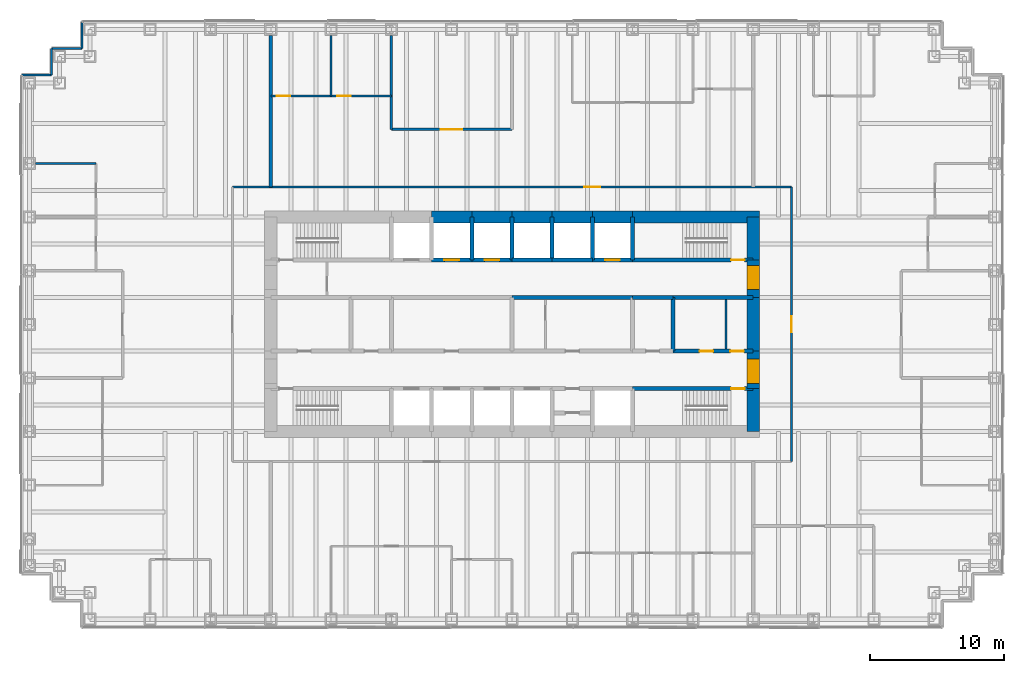
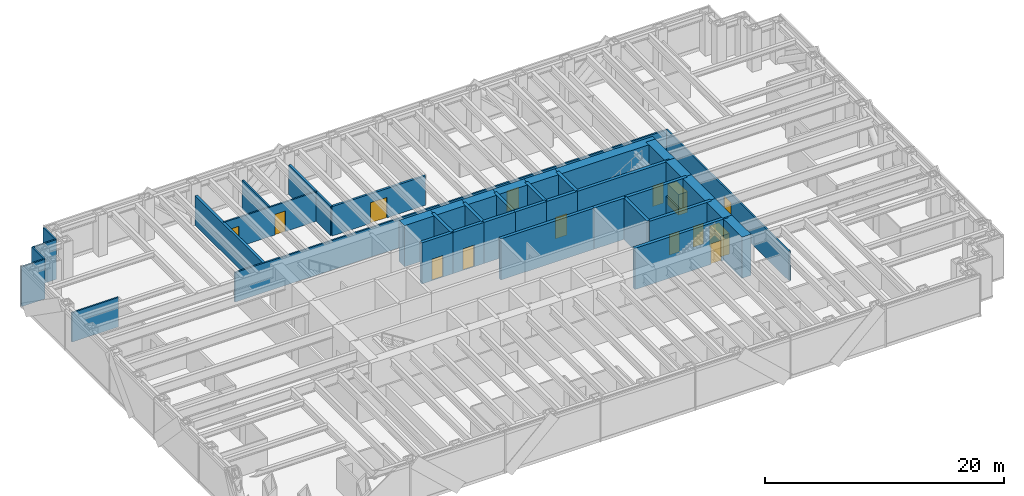
# One storey, part 13 of 15: 41 walls, 14 doors, 14 openings.
"""IFC4 building model written with IfcOpenShell, lengths in metres."""

from ifc_helpers import new_model, si_unit, direction, frame, frame_2d, origin, place, context, subcontext, project, spatial, rectangle, extrude, material, layer, layer_set, type_object, element, fill, save


model = new_model("IFC4")

# Units and contexts
model_context = context("Model", 3, precision=1e-05, world=origin(), true_north=direction((0.0, 1.0)))
body_context = subcontext(model_context, "Body", "Model", "MODEL_VIEW")
ifc_project = project(units=[si_unit("LENGTHUNIT", "METRE"), si_unit("AREAUNIT", "SQUARE_METRE"), si_unit("VOLUMEUNIT", "CUBIC_METRE"), si_unit("PLANEANGLEUNIT", "RADIAN"), si_unit("MASSUNIT", "GRAM", prefix="KILO")], contexts=[model_context])

# Site, building, storey
site_placement = place(None, origin())
site = spatial("IfcSite", under=ifc_project, at=site_placement, CompositionType="ELEMENT")
building_placement = place(site_placement, origin())
building = spatial("IfcBuilding", under=site, at=building_placement, Name="Rheinbord Bourse Tower", CompositionType="ELEMENT")
storey_placement = place(building_placement, frame((0.0, 0.0, 142.5)))
storey = spatial("IfcBuildingStorey", under=building, at=storey_placement, Name="L31", CompositionType="ELEMENT", Elevation=142.5)

# Wall, opening, door
ifc_material_1 = material(Name="Acoustic gypsum board partition", Category="gypsum board")
ifc_layer_1 = layer(ifc_material_1, 0.199951171875)
ifc_layer_set_1 = layer_set([ifc_layer_1], Name="ACOUSTIC PARTITION 200")
wall_type_1 = type_object("IfcWallType", Name="ACOUSTIC PARTITION 200", PredefinedType="PARTITIONING", material=ifc_layer_set_1)
wall_1_placement = place(storey_placement, frame((27.0, 38.550048828125, 0.0), z_axis=(0.0, 0.0, 1.0), x_axis=(1.0, 0.0, 0.0)))
wall_1 = element("IfcWall", 1, at=wall_1_placement, inside=storey, type_object=wall_type_1, Name="Partition L31-18", PredefinedType="PARTITIONING", context=body_context, shape_type="SweptSolid", body=[
    extrude(rectangle(XDim=9.0, YDim=0.199951171875, at=frame_2d((4.5, 0.0))), origin(), (0.0, 0.0, 1.0), 3.0),
])
opening_1_placement = place(wall_1_placement, frame((3.699951171875, 0.0, 0.0)))
opening_1 = element("IfcOpeningElement", 2, at=opening_1_placement, cuts=wall_1, Name="Opening 31D16", PredefinedType="OPENING", context=body_context, shape_type="SweptSolid", body=[
    extrude(rectangle(XDim=1.60009765625, YDim=2.10009765625, at=frame_2d((0.800048828125, 1.050048828125))), frame((0.0, 0.10986328125, 0.0), z_axis=(0.0, -1.0, 0.0), x_axis=(1.0, 0.0, 0.0)), (0.0, 0.0, 1.0), 0.219970703125),
])
ifc_material_2 = material(Name="Timber door", Category="wood")
door_type_1 = type_object("IfcDoorType", Name="DOUBLE ROOM DOOR 1600", OperationType="DOUBLE_DOOR_DOUBLE_SWING", PredefinedType="DOOR", material=ifc_material_2)
door_1_placement = place(opening_1_placement, origin())
door_1 = element("IfcDoor", 3, at=door_1_placement, inside=storey, type_object=door_type_1, Name="Suite boardroom door L31", OperationType="SINGLE_SWING_LEFT", OverallHeight=2.10009765625, OverallWidth=1.60009765625, PredefinedType="DOOR", context=body_context, shape_type="SweptSolid", body=[
    extrude(rectangle(XDim=1.60009765625, YDim=2.10009765625, at=frame_2d((0.800048828125, 1.050048828125))), frame((0.0, 0.02490234375, 0.0), z_axis=(0.0, -1.0, 0.0), x_axis=(1.0, 0.0, 0.0)), (0.0, 0.0, 1.0), 0.050048828125),
])
fill(opening_1, door_1)

# Wall
wall_2_placement = place(storey_placement, frame((27.0, 38.550048828125, 0.0), z_axis=(0.0, 0.0, 1.0), x_axis=(0.0, 1.0, 0.0)))
element("IfcWall", 4, at=wall_2_placement, inside=storey, type_object=wall_type_1, Name="Partition L31-33", PredefinedType="PARTITIONING", context=body_context, shape_type="SweptSolid", body=[
    extrude(rectangle(XDim=7.0, YDim=0.199951171875, at=frame_2d((3.5, 0.0))), origin(), (0.0, 0.0, 1.0), 3.0),
])

# Wall, opening, door
ifc_material_3 = material(Name="Concrete C50/60", Category="concrete")
ifc_layer_2 = layer(ifc_material_3, 0.300048828125)
ifc_layer_set_2 = layer_set([ifc_layer_2], Name="CORE INNER WALL 300")
wall_type_2 = type_object("IfcWallType", Name="CORE INNER WALL 300", PredefinedType="SOLIDWALL", material=ifc_layer_set_2)
wall_3_placement = place(storey_placement, frame((45.0, 19.199951171875, 0.0), z_axis=(0.0, 0.0, 1.0), x_axis=(1.0, 0.0, 0.0)))
wall_3 = element("IfcWall", 5, at=wall_3_placement, inside=storey, type_object=wall_type_2, Name="Core wall A8 L31", PredefinedType="SOLIDWALL", context=body_context, shape_type="SweptSolid", body=[
    extrude(rectangle(XDim=9.0, YDim=0.300048828125, at=frame_2d((4.5, 0.0))), origin(), (0.0, 0.0, 1.0), 4.199951171875),
])
opening_2_placement = place(wall_3_placement, frame((7.35009765625, 0.0, 0.0)))
opening_2 = element("IfcOpeningElement", 6, at=opening_2_placement, cuts=wall_3, Name="Opening 3130", PredefinedType="OPENING", context=body_context, shape_type="SweptSolid", body=[
    extrude(rectangle(XDim=1.0, YDim=2.10009765625, at=frame_2d((0.5, 1.050048828125))), frame((0.0, 0.159912109375, 0.0), z_axis=(0.0, -1.0, 0.0), x_axis=(1.0, 0.0, 0.0)), (0.0, 0.0, 1.0), 0.320068359375),
])
ifc_material_4 = material(Name="Steel door", Category="steel")
door_type_2 = type_object("IfcDoorType", Name="DOOR 1000 EI30", OperationType="SINGLE_SWING_LEFT", PredefinedType="DOOR", material=ifc_material_4)
door_2_placement = place(opening_2_placement, origin())
door_2 = element("IfcDoor", 7, at=door_2_placement, inside=storey, type_object=door_type_2, Name="Stair door ST3 L31", OperationType="SINGLE_SWING_RIGHT", OverallHeight=2.10009765625, OverallWidth=1.0, PredefinedType="DOOR", context=body_context, shape_type="SweptSolid", body=[
    extrude(rectangle(XDim=1.0, YDim=2.10009765625, at=frame_2d((0.5, 1.050048828125))), frame((0.0, 0.02490234375, 0.0), z_axis=(0.0, -1.0, 0.0), x_axis=(1.0, 0.0, 0.0)), (0.0, 0.0, 1.0), 0.050048828125),
])
fill(opening_2, door_2)

wall_4_placement = place(storey_placement, frame((30.0, 28.800048828125, 0.0), z_axis=(0.0, 0.0, 1.0), x_axis=(1.0, 0.0, 0.0)))
wall_4 = element("IfcWall", 8, at=wall_4_placement, inside=storey, type_object=wall_type_2, Name="Core wall B3 L31", PredefinedType="SOLIDWALL", context=body_context, shape_type="SweptSolid", body=[
    extrude(rectangle(XDim=3.0, YDim=0.300048828125, at=frame_2d((1.5, 0.0))), origin(), (0.0, 0.0, 1.0), 4.199951171875),
])
opening_3_placement = place(wall_4_placement, frame((0.949951171875, 0.0, 0.0)))
opening_3 = element("IfcOpeningElement", 9, at=opening_3_placement, cuts=wall_4, Name="Opening PB4", PredefinedType="OPENING", context=body_context, shape_type="SweptSolid", body=[
    extrude(rectangle(XDim=1.10009765625, YDim=2.199951171875, at=frame_2d((0.550048828125, 1.10009765625))), frame((0.0, 0.159912109375, 0.0), z_axis=(0.0, -1.0, 0.0), x_axis=(1.0, 0.0, 0.0)), (0.0, 0.0, 1.0), 0.320068359375),
])
ifc_material_5 = material(Name="Steel landing door", Category="steel")
door_type_3 = type_object("IfcDoorType", Name="LIFT LANDING DOOR 1100", OperationType="DOUBLE_DOOR_SLIDING", PredefinedType="USERDEFINED", material=ifc_material_5)
door_3_placement = place(opening_3_placement, origin())
door_3 = element("IfcDoor", 10, at=door_3_placement, inside=storey, type_object=door_type_3, Name="Lift landing door PB4 L31", ObjectType="LIFT LANDING DOOR", OperationType="DOUBLE_DOOR_SLIDING", OverallHeight=2.199951171875, OverallWidth=1.10009765625, PredefinedType="USERDEFINED", context=body_context, shape_type="SweptSolid", body=[
    extrude(rectangle(XDim=1.10009765625, YDim=2.199951171875, at=frame_2d((0.550048828125, 1.10009765625))), frame((0.0, 0.02490234375, 0.0), z_axis=(0.0, -1.0, 0.0), x_axis=(1.0, 0.0, 0.0)), (0.0, 0.0, 1.0), 0.050048828125),
])
fill(opening_3, door_3)

wall_5_placement = place(storey_placement, frame((33.0, 28.800048828125, 0.0), z_axis=(0.0, 0.0, 1.0), x_axis=(1.0, 0.0, 0.0)))
wall_5 = element("IfcWall", 11, at=wall_5_placement, inside=storey, type_object=wall_type_2, Name="Core wall B4 L31", PredefinedType="SOLIDWALL", context=body_context, shape_type="SweptSolid", body=[
    extrude(rectangle(XDim=3.0, YDim=0.300048828125, at=frame_2d((1.5, 0.0))), origin(), (0.0, 0.0, 1.0), 4.199951171875),
])
opening_4_placement = place(wall_5_placement, frame((0.949951171875, 0.0, 0.0)))
opening_4 = element("IfcOpeningElement", 12, at=opening_4_placement, cuts=wall_5, Name="Opening PB5", PredefinedType="OPENING", context=body_context, shape_type="SweptSolid", body=[
    extrude(rectangle(XDim=1.10009765625, YDim=2.199951171875, at=frame_2d((0.550048828125, 1.10009765625))), frame((0.0, 0.159912109375, 0.0), z_axis=(0.0, -1.0, 0.0), x_axis=(1.0, 0.0, 0.0)), (0.0, 0.0, 1.0), 0.320068359375),
])
door_4_placement = place(opening_4_placement, origin())
door_4 = element("IfcDoor", 13, at=door_4_placement, inside=storey, type_object=door_type_3, Name="Lift landing door PB5 L31", ObjectType="LIFT LANDING DOOR", OperationType="DOUBLE_DOOR_SLIDING", OverallHeight=2.199951171875, OverallWidth=1.10009765625, PredefinedType="USERDEFINED", context=body_context, shape_type="SweptSolid", body=[
    extrude(rectangle(XDim=1.10009765625, YDim=2.199951171875, at=frame_2d((0.550048828125, 1.10009765625))), frame((0.0, 0.02490234375, 0.0), z_axis=(0.0, -1.0, 0.0), x_axis=(1.0, 0.0, 0.0)), (0.0, 0.0, 1.0), 0.050048828125),
])
fill(opening_4, door_4)

# Walls
for number, where, z_axis, x_axis, name in (
    (14, (36.0, 28.800048828125, 0.0), (0.0, 0.0, 1.0), (1.0, 0.0, 0.0), "Core wall B5 L31"),
    (15, (39.0, 28.800048828125, 0.0), (0.0, 0.0, 1.0), (1.0, 0.0, 0.0), "Core wall B6 L31"),
):
    element("IfcWall", number, at=place(storey_placement, frame(where, z_axis=z_axis, x_axis=x_axis)), inside=storey, type_object=wall_type_2, Name=name, PredefinedType="SOLIDWALL", context=body_context, shape_type="SweptSolid", body=[
        extrude(rectangle(XDim=3.0, YDim=0.300048828125, at=frame_2d((1.5, 0.0))), origin(), (0.0, 0.0, 1.0), 4.199951171875),
    ])

# Wall, opening, door
wall_6_placement = place(storey_placement, frame((42.0, 28.800048828125, 0.0), z_axis=(0.0, 0.0, 1.0), x_axis=(1.0, 0.0, 0.0)))
wall_6 = element("IfcWall", 16, at=wall_6_placement, inside=storey, type_object=wall_type_2, Name="Core wall B7 L31", PredefinedType="SOLIDWALL", context=body_context, shape_type="SweptSolid", body=[
    extrude(rectangle(XDim=3.0, YDim=0.300048828125, at=frame_2d((1.5, 0.0))), origin(), (0.0, 0.0, 1.0), 4.199951171875),
])
opening_5_placement = place(wall_6_placement, frame((0.949951171875, 0.0, 0.0)))
opening_5 = element("IfcOpeningElement", 17, at=opening_5_placement, cuts=wall_6, Name="Opening FL2", PredefinedType="OPENING", context=body_context, shape_type="SweptSolid", body=[
    extrude(rectangle(XDim=1.10009765625, YDim=2.199951171875, at=frame_2d((0.550048828125, 1.10009765625))), frame((0.0, 0.159912109375, 0.0), z_axis=(0.0, -1.0, 0.0), x_axis=(1.0, 0.0, 0.0)), (0.0, 0.0, 1.0), 0.320068359375),
])
door_5_placement = place(opening_5_placement, origin())
door_5 = element("IfcDoor", 18, at=door_5_placement, inside=storey, type_object=door_type_3, Name="Lift landing door FL2 L31", ObjectType="LIFT LANDING DOOR", OperationType="DOUBLE_DOOR_SLIDING", OverallHeight=2.199951171875, OverallWidth=1.10009765625, PredefinedType="USERDEFINED", context=body_context, shape_type="SweptSolid", body=[
    extrude(rectangle(XDim=1.10009765625, YDim=2.199951171875, at=frame_2d((0.550048828125, 1.10009765625))), frame((0.0, 0.02490234375, 0.0), z_axis=(0.0, -1.0, 0.0), x_axis=(1.0, 0.0, 0.0)), (0.0, 0.0, 1.0), 0.050048828125),
])
fill(opening_5, door_5)

wall_7_placement = place(storey_placement, frame((45.0, 28.800048828125, 0.0), z_axis=(0.0, 0.0, 1.0), x_axis=(1.0, 0.0, 0.0)))
wall_7 = element("IfcWall", 19, at=wall_7_placement, inside=storey, type_object=wall_type_2, Name="Core wall B8 L31", PredefinedType="SOLIDWALL", context=body_context, shape_type="SweptSolid", body=[
    extrude(rectangle(XDim=9.0, YDim=0.300048828125, at=frame_2d((4.5, 0.0))), origin(), (0.0, 0.0, 1.0), 4.199951171875),
])
opening_6_placement = place(wall_7_placement, frame((7.35009765625, 0.0, 0.0)))
opening_6 = element("IfcOpeningElement", 20, at=opening_6_placement, cuts=wall_7, Name="Opening 3140", PredefinedType="OPENING", context=body_context, shape_type="SweptSolid", body=[
    extrude(rectangle(XDim=1.0, YDim=2.10009765625, at=frame_2d((0.5, 1.050048828125))), frame((0.0, 0.159912109375, 0.0), z_axis=(0.0, -1.0, 0.0), x_axis=(1.0, 0.0, 0.0)), (0.0, 0.0, 1.0), 0.320068359375),
])
door_6_placement = place(opening_6_placement, origin())
door_6 = element("IfcDoor", 21, at=door_6_placement, inside=storey, type_object=door_type_2, Name="Stair door ST4 L31", OperationType="SINGLE_SWING_RIGHT", OverallHeight=2.10009765625, OverallWidth=1.0, PredefinedType="DOOR", context=body_context, shape_type="SweptSolid", body=[
    extrude(rectangle(XDim=1.0, YDim=2.10009765625, at=frame_2d((0.5, 1.050048828125))), frame((0.0, 0.02490234375, 0.0), z_axis=(0.0, -1.0, 0.0), x_axis=(1.0, 0.0, 0.0)), (0.0, 0.0, 1.0), 0.050048828125),
])
fill(opening_6, door_6)

# Wall, openings, doors
wall_8_placement = place(storey_placement, frame((48.0, 22.0, 0.0), z_axis=(0.0, 0.0, 1.0), x_axis=(1.0, 0.0, 0.0)))
wall_8 = element("IfcWall", 22, at=wall_8_placement, inside=storey, type_object=wall_type_2, Name="Core wall C6 L31", PredefinedType="SOLIDWALL", context=body_context, shape_type="SweptSolid", body=[
    extrude(rectangle(XDim=6.0, YDim=0.300048828125, at=frame_2d((3.0, 0.0))), origin(), (0.0, 0.0, 1.0), 4.199951171875),
])
opening_7_placement = place(wall_8_placement, frame((2.0, 0.0, 0.0)))
opening_7 = element("IfcOpeningElement", 23, at=opening_7_placement, cuts=wall_8, Name="Opening 31R6", PredefinedType="OPENING", context=body_context, shape_type="SweptSolid", body=[
    extrude(rectangle(XDim=1.0, YDim=2.10009765625, at=frame_2d((0.5, 1.050048828125))), frame((0.0, 0.159912109375, 0.0), z_axis=(0.0, -1.0, 0.0), x_axis=(1.0, 0.0, 0.0)), (0.0, 0.0, 1.0), 0.320068359375),
])
opening_8_placement = place(wall_8_placement, frame((4.300048828125, 0.0, 0.0)))
opening_8 = element("IfcOpeningElement", 24, at=opening_8_placement, cuts=wall_8, Name="Opening 31R10", PredefinedType="OPENING", context=body_context, shape_type="SweptSolid", body=[
    extrude(rectangle(XDim=1.0, YDim=2.10009765625, at=frame_2d((0.5, 1.050048828125))), frame((0.0, 0.159912109375, 0.0), z_axis=(0.0, -1.0, 0.0), x_axis=(1.0, 0.0, 0.0)), (0.0, 0.0, 1.0), 0.320068359375),
])
door_7_placement = place(opening_8_placement, origin())
door_7 = element("IfcDoor", 25, at=door_7_placement, inside=storey, type_object=door_type_2, Name="Cleaner's store door L31", OperationType="SINGLE_SWING_RIGHT", OverallHeight=2.10009765625, OverallWidth=1.0, PredefinedType="DOOR", context=body_context, shape_type="SweptSolid", body=[
    extrude(rectangle(XDim=1.0, YDim=2.10009765625, at=frame_2d((0.5, 1.050048828125))), frame((0.0, 0.02490234375, 0.0), z_axis=(0.0, -1.0, 0.0), x_axis=(1.0, 0.0, 0.0)), (0.0, 0.0, 1.0), 0.050048828125),
])
fill(opening_8, door_7)
ifc_material_6 = material(Name="Timber door", Category="wood")
door_type_4 = type_object("IfcDoorType", Name="DOOR 1000 WC", OperationType="SINGLE_SWING_LEFT", PredefinedType="DOOR", material=ifc_material_6)
door_8_placement = place(opening_7_placement, origin())
door_8 = element("IfcDoor", 26, at=door_8_placement, inside=storey, type_object=door_type_4, Name="WC women door L31", OperationType="SINGLE_SWING_LEFT", OverallHeight=2.10009765625, OverallWidth=1.0, PredefinedType="DOOR", context=body_context, shape_type="SweptSolid", body=[
    extrude(rectangle(XDim=1.0, YDim=2.10009765625, at=frame_2d((0.5, 1.050048828125))), frame((0.0, 0.02490234375, 0.0), z_axis=(0.0, -1.0, 0.0), x_axis=(1.0, 0.0, 0.0)), (0.0, 0.0, 1.0), 0.050048828125),
])
fill(opening_7, door_8)

# Walls
wall_9_placement = place(storey_placement, frame((36.0, 26.0, 0.0), z_axis=(0.0, 0.0, 1.0), x_axis=(1.0, 0.0, 0.0)))
element("IfcWall", 27, at=wall_9_placement, inside=storey, type_object=wall_type_2, Name="Core wall D4 L31", PredefinedType="SOLIDWALL", context=body_context, shape_type="SweptSolid", body=[
    extrude(rectangle(XDim=9.0, YDim=0.300048828125, at=frame_2d((4.5, 0.0))), origin(), (0.0, 0.0, 1.0), 4.199951171875),
])
wall_10_placement = place(storey_placement, frame((45.0, 26.0, 0.0), z_axis=(0.0, 0.0, 1.0), x_axis=(1.0, 0.0, 0.0)))
element("IfcWall", 28, at=wall_10_placement, inside=storey, type_object=wall_type_2, Name="Core wall D5 L31", PredefinedType="SOLIDWALL", context=body_context, shape_type="SweptSolid", body=[
    extrude(rectangle(XDim=3.0, YDim=0.300048828125, at=frame_2d((1.5, 0.0))), origin(), (0.0, 0.0, 1.0), 4.199951171875),
])
wall_11_placement = place(storey_placement, frame((48.0, 26.0, 0.0), z_axis=(0.0, 0.0, 1.0), x_axis=(1.0, 0.0, 0.0)))
element("IfcWall", 29, at=wall_11_placement, inside=storey, type_object=wall_type_2, Name="Core wall D6 L31", PredefinedType="SOLIDWALL", context=body_context, shape_type="SweptSolid", body=[
    extrude(rectangle(XDim=6.0, YDim=0.300048828125, at=frame_2d((3.0, 0.0))), origin(), (0.0, 0.0, 1.0), 4.199951171875),
])
for number, where, z_axis, x_axis, name in (
    (30, (33.0, 28.800048828125, 0.0), (0.0, 0.0, 1.0), (0.0, 1.0, 0.0), "Core wall NX33 L31"),
    (31, (36.0, 28.800048828125, 0.0), (0.0, 0.0, 1.0), (0.0, 1.0, 0.0), "Core wall NX36 L31"),
    (32, (39.0, 28.800048828125, 0.0), (0.0, 0.0, 1.0), (0.0, 1.0, 0.0), "Core wall NX39 L31"),
    (33, (42.0, 28.800048828125, 0.0), (0.0, 0.0, 1.0), (0.0, 1.0, 0.0), "Core wall NX42 L31"),
    (34, (45.0, 28.800048828125, 0.0), (0.0, 0.0, 1.0), (0.0, 1.0, 0.0), "Core wall NX45 L31"),
):
    element("IfcWall", number, at=place(storey_placement, frame(where, z_axis=z_axis, x_axis=x_axis)), inside=storey, type_object=wall_type_2, Name=name, PredefinedType="SOLIDWALL", context=body_context, shape_type="SweptSolid", body=[
        extrude(rectangle(XDim=3.199951171875, YDim=0.300048828125, at=frame_2d((1.60009765625, 0.0))), origin(), (0.0, 0.0, 1.0), 4.199951171875),
    ])
wall_12_placement = place(storey_placement, frame((48.0, 22.0, 0.0), z_axis=(0.0, 0.0, 1.0), x_axis=(0.0, 1.0, 0.0)))
element("IfcWall", 35, at=wall_12_placement, inside=storey, type_object=wall_type_2, Name="Core wall MX48 L31", PredefinedType="SOLIDWALL", context=body_context, shape_type="SweptSolid", body=[
    extrude(rectangle(XDim=4.0, YDim=0.300048828125, at=frame_2d((2.0, 0.0))), origin(), (0.0, 0.0, 1.0), 4.199951171875),
])
ifc_material_7 = material(Name="Gypsum board fire partition", Category="gypsum board")
ifc_layer_3 = layer(ifc_material_7, 0.14990234375)
ifc_layer_set_3 = layer_set([ifc_layer_3], Name="CORE PARTITION 150 EI30")
wall_type_3 = type_object("IfcWallType", Name="CORE PARTITION 150 EI30", PredefinedType="PARTITIONING", material=ifc_layer_set_3)
wall_13_placement = place(storey_placement, frame((51.97509765625, 22.14990234375, 0.0), z_axis=(0.0, 0.0, 1.0), x_axis=(0.0, 1.0, 0.0)))
element("IfcWall", 36, at=wall_13_placement, inside=storey, type_object=wall_type_3, Name="Core partition L31-3", PredefinedType="PARTITIONING", context=body_context, shape_type="SweptSolid", body=[
    extrude(rectangle(XDim=3.7001953125, YDim=0.14990234375, at=frame_2d((1.85009765625, 0.0))), origin(), (0.0, 0.0, 1.0), 3.0),
])
ifc_material_8 = material(Name="Concrete C50/60", Category="concrete")
ifc_layer_4 = layer(ifc_material_8, 0.89990234375)
ifc_layer_set_4 = layer_set([ifc_layer_4], Name="CORE WALL 900")
wall_type_4 = type_object("IfcWallType", Name="CORE WALL 900", PredefinedType="SHEAR", material=ifc_layer_set_4)
wall_14_placement = place(storey_placement, frame((54.449951171875, 32.0, 0.0), z_axis=(0.0, 0.0, 1.0), x_axis=(-1.0, 0.0, 0.0)))
element("IfcWall", 37, at=wall_14_placement, inside=storey, type_object=wall_type_4, Name="Core wall N1 L31", PredefinedType="SHEAR", context=body_context, shape_type="SweptSolid", body=[
    extrude(rectangle(XDim=9.449951171875, YDim=0.89990234375, at=frame_2d((4.72509765625, 0.0))), origin(), (0.0, 0.0, 1.0), 4.199951171875),
])
for number, where, z_axis, x_axis, name in (
    (38, (45.0, 32.0, 0.0), (0.0, 0.0, 1.0), (-1.0, 0.0, 0.0), "Core wall N2 L31"),
    (39, (42.0, 32.0, 0.0), (0.0, 0.0, 1.0), (-1.0, 0.0, 0.0), "Core wall N3 L31"),
    (40, (39.0, 32.0, 0.0), (0.0, 0.0, 1.0), (-1.0, 0.0, 0.0), "Core wall N4 L31"),
    (41, (36.0, 32.0, 0.0), (0.0, 0.0, 1.0), (-1.0, 0.0, 0.0), "Core wall N5 L31"),
    (42, (33.0, 32.0, 0.0), (0.0, 0.0, 1.0), (-1.0, 0.0, 0.0), "Core wall N6 L31"),
):
    element("IfcWall", number, at=place(storey_placement, frame(where, z_axis=z_axis, x_axis=x_axis)), inside=storey, type_object=wall_type_4, Name=name, PredefinedType="SHEAR", context=body_context, shape_type="SweptSolid", body=[
        extrude(rectangle(XDim=3.0, YDim=0.89990234375, at=frame_2d((1.5, 0.0))), origin(), (0.0, 0.0, 1.0), 4.199951171875),
    ])
wall_15_placement = place(storey_placement, frame((54.0, 16.0, 0.0), z_axis=(0.0, 0.0, 1.0), x_axis=(0.0, 1.0, 0.0)))
element("IfcWall", 43, at=wall_15_placement, inside=storey, type_object=wall_type_4, Name="Core wall E1 L31", PredefinedType="SHEAR", context=body_context, shape_type="SweptSolid", body=[
    extrude(rectangle(XDim=3.199951171875, YDim=0.89990234375, at=frame_2d((1.60009765625, 0.0))), origin(), (0.0, 0.0, 1.0), 4.199951171875),
])

# Wall, opening, door
wall_16_placement = place(storey_placement, frame((54.0, 19.199951171875, 0.0), z_axis=(0.0, 0.0, 1.0), x_axis=(0.0, 1.0, 0.0)))
wall_16 = element("IfcWall", 44, at=wall_16_placement, inside=storey, type_object=wall_type_4, Name="Core wall E2 L31", PredefinedType="SHEAR", context=body_context, shape_type="SweptSolid", body=[
    extrude(rectangle(XDim=2.800048828125, YDim=0.89990234375, at=frame_2d((1.39990234375, 0.0))), origin(), (0.0, 0.0, 1.0), 4.199951171875),
])
opening_9_placement = place(wall_16_placement, frame((0.39990234375, 0.0, 0.0)))
opening_9 = element("IfcOpeningElement", 45, at=opening_9_placement, cuts=wall_16, Name="Opening 31L3", PredefinedType="OPENING", context=body_context, shape_type="SweptSolid", body=[
    extrude(rectangle(XDim=1.800048828125, YDim=2.10009765625, at=frame_2d((0.89990234375, 1.050048828125))), frame((0.0, 0.4599609375, 0.0), z_axis=(0.0, -1.0, 0.0), x_axis=(1.0, 0.0, 0.0)), (0.0, 0.0, 1.0), 0.919921875),
])
ifc_material_9 = material(Name="Steel door", Category="steel")
door_type_5 = type_object("IfcDoorType", Name="DOOR 1800 EI30 DOUBLE", OperationType="DOUBLE_DOOR_DOUBLE_SWING", PredefinedType="DOOR", material=ifc_material_9)
door_9_placement = place(opening_9_placement, origin())
door_9 = element("IfcDoor", 46, at=door_9_placement, inside=storey, type_object=door_type_5, Name="Lobby door 3 L31", OperationType="SINGLE_SWING_LEFT", OverallHeight=2.10009765625, OverallWidth=1.800048828125, PredefinedType="DOOR", context=body_context, shape_type="SweptSolid", body=[
    extrude(rectangle(XDim=1.800048828125, YDim=2.10009765625, at=frame_2d((0.89990234375, 1.050048828125))), frame((0.0, 0.44970703125, 0.0), z_axis=(0.0, -1.0, 0.0), x_axis=(1.0, 0.0, 0.0)), (0.0, 0.0, 1.0), 0.8994140625),
])
fill(opening_9, door_9)

# Wall
wall_17_placement = place(storey_placement, frame((54.0, 22.0, 0.0), z_axis=(0.0, 0.0, 1.0), x_axis=(0.0, 1.0, 0.0)))
element("IfcWall", 47, at=wall_17_placement, inside=storey, type_object=wall_type_4, Name="Core wall E3 L31", PredefinedType="SHEAR", context=body_context, shape_type="SweptSolid", body=[
    extrude(rectangle(XDim=4.0, YDim=0.89990234375, at=frame_2d((2.0, 0.0))), origin(), (0.0, 0.0, 1.0), 4.199951171875),
])

# Wall, opening, door
wall_18_placement = place(storey_placement, frame((54.0, 26.0, 0.0), z_axis=(0.0, 0.0, 1.0), x_axis=(0.0, 1.0, 0.0)))
wall_18 = element("IfcWall", 48, at=wall_18_placement, inside=storey, type_object=wall_type_4, Name="Core wall E4 L31", PredefinedType="SHEAR", context=body_context, shape_type="SweptSolid", body=[
    extrude(rectangle(XDim=2.800048828125, YDim=0.89990234375, at=frame_2d((1.39990234375, 0.0))), origin(), (0.0, 0.0, 1.0), 4.199951171875),
])
opening_10_placement = place(wall_18_placement, frame((0.60009765625, 0.0, 0.0)))
opening_10 = element("IfcOpeningElement", 49, at=opening_10_placement, cuts=wall_18, Name="Opening 31L4", PredefinedType="OPENING", context=body_context, shape_type="SweptSolid", body=[
    extrude(rectangle(XDim=1.800048828125, YDim=2.10009765625, at=frame_2d((0.89990234375, 1.050048828125))), frame((0.0, 0.4599609375, 0.0), z_axis=(0.0, -1.0, 0.0), x_axis=(1.0, 0.0, 0.0)), (0.0, 0.0, 1.0), 0.919921875),
])
door_10_placement = place(opening_10_placement, origin())
door_10 = element("IfcDoor", 50, at=door_10_placement, inside=storey, type_object=door_type_5, Name="Lobby door 4 L31", OperationType="SINGLE_SWING_LEFT", OverallHeight=2.10009765625, OverallWidth=1.800048828125, PredefinedType="DOOR", context=body_context, shape_type="SweptSolid", body=[
    extrude(rectangle(XDim=1.800048828125, YDim=2.10009765625, at=frame_2d((0.89990234375, 1.050048828125))), frame((0.0, 0.44970703125, 0.0), z_axis=(0.0, -1.0, 0.0), x_axis=(1.0, 0.0, 0.0)), (0.0, 0.0, 1.0), 0.8994140625),
])
fill(opening_10, door_10)

# Walls
wall_19_placement = place(storey_placement, frame((54.0, 28.800048828125, 0.0), z_axis=(0.0, 0.0, 1.0), x_axis=(0.0, 1.0, 0.0)))
element("IfcWall", 51, at=wall_19_placement, inside=storey, type_object=wall_type_4, Name="Core wall E5 L31", PredefinedType="SHEAR", context=body_context, shape_type="SweptSolid", body=[
    extrude(rectangle(XDim=3.199951171875, YDim=0.89990234375, at=frame_2d((1.60009765625, 0.0))), origin(), (0.0, 0.0, 1.0), 4.199951171875),
])
ifc_material_10 = material(Name="Black metal rainscreen panel", Category="aluminium")
ifc_layer_5 = layer(ifc_material_10, 0.14990234375)
ifc_layer_set_5 = layer_set([ifc_layer_5], Name="CORNER PIER CLADDING 150")
wall_type_5 = type_object("IfcWallType", Name="CORNER PIER CLADDING 150", PredefinedType="ELEMENTEDWALL", material=ifc_layer_set_5)
wall_20_placement = place(storey_placement, frame((3.89990234375, 46.60009765625, 0.0), z_axis=(0.0, 0.0, 1.0), x_axis=(0.0, -1.0, 0.0)))
element("IfcWall", 52, at=wall_20_placement, inside=storey, type_object=wall_type_5, Name="Corner pier cladding L31 12", PredefinedType="ELEMENTEDWALL", context=body_context, shape_type="SweptSolid", body=[
    extrude(rectangle(XDim=2.0, YDim=0.14990234375, at=frame_2d((1.0, 0.0))), origin(), (0.0, 0.0, 1.0), 4.0400390625),
])
wall_21_placement = place(storey_placement, frame((3.89990234375, 44.60009765625, 0.0), z_axis=(0.0, 0.0, 1.0), x_axis=(-1.0, 0.0, 0.0)))
element("IfcWall", 53, at=wall_21_placement, inside=storey, type_object=wall_type_5, Name="Corner pier cladding L31 13", PredefinedType="ELEMENTEDWALL", context=body_context, shape_type="SweptSolid", body=[
    extrude(rectangle(XDim=2.25, YDim=0.14990234375, at=frame_2d((1.125, 0.0))), origin(), (0.0, 0.0, 1.0), 4.0400390625),
])
wall_22_placement = place(storey_placement, frame((1.64990234375, 44.60009765625, 0.0), z_axis=(0.0, 0.0, 1.0), x_axis=(0.0, -1.0, 0.0)))
element("IfcWall", 54, at=wall_22_placement, inside=storey, type_object=wall_type_5, Name="Corner pier cladding L31 14", PredefinedType="ELEMENTEDWALL", context=body_context, shape_type="SweptSolid", body=[
    extrude(rectangle(XDim=2.0, YDim=0.14990234375, at=frame_2d((1.0, 0.0))), origin(), (0.0, 0.0, 1.0), 4.0400390625),
])
wall_23_placement = place(storey_placement, frame((1.64990234375, 42.60009765625, 0.0), z_axis=(0.0, 0.0, 1.0), x_axis=(-1.0, 0.0, 0.0)))
element("IfcWall", 55, at=wall_23_placement, inside=storey, type_object=wall_type_5, Name="Corner pier cladding L31 15", PredefinedType="ELEMENTEDWALL", context=body_context, shape_type="SweptSolid", body=[
    extrude(rectangle(XDim=2.25, YDim=0.14990234375, at=frame_2d((1.125, 0.0))), origin(), (0.0, 0.0, 1.0), 4.0400390625),
])

# Wall, opening, door
ifc_material_11 = material(Name="Gypsum board corridor partition", Category="gypsum board")
ifc_layer_6 = layer(ifc_material_11, 0.14990234375)
ifc_layer_set_6 = layer_set([ifc_layer_6], Name="CORRIDOR PARTITION 150 EI30")
wall_type_6 = type_object("IfcWallType", Name="CORRIDOR PARTITION 150 EI30", PredefinedType="PARTITIONING", material=ifc_layer_set_6)
wall_24_placement = place(storey_placement, frame((15.14990234375, 34.25, 0.0), z_axis=(0.0, 0.0, 1.0), x_axis=(1.0, 0.0, 0.0)))
wall_24 = element("IfcWall", 56, at=wall_24_placement, inside=storey, type_object=wall_type_6, Name="Partition L31-15", PredefinedType="PARTITIONING", context=body_context, shape_type="SweptSolid", body=[
    extrude(rectangle(XDim=41.7001953125, YDim=0.14990234375, at=frame_2d((20.85009765625, 0.0))), origin(), (0.0, 0.0, 1.0), 3.0),
])
opening_11_placement = place(wall_24_placement, frame((26.25, 0.0, 0.0)))
opening_11 = element("IfcOpeningElement", 57, at=opening_11_placement, cuts=wall_24, Name="Opening 31D24", PredefinedType="OPENING", context=body_context, shape_type="SweptSolid", body=[
    extrude(rectangle(XDim=1.199951171875, YDim=2.10009765625, at=frame_2d((0.60009765625, 1.050048828125))), frame((0.0, 0.0849609375, 0.0), z_axis=(0.0, -1.0, 0.0), x_axis=(1.0, 0.0, 0.0)), (0.0, 0.0, 1.0), 0.169921875),
])
ifc_material_12 = material(Name="Timber fire door", Category="wood")
door_type_6 = type_object("IfcDoorType", Name="SUITE ENTRANCE DOOR 1200 EI30", OperationType="SINGLE_SWING_LEFT", PredefinedType="DOOR", material=ifc_material_12)
door_11_placement = place(opening_11_placement, origin())
door_11 = element("IfcDoor", 58, at=door_11_placement, inside=storey, type_object=door_type_6, Name="Suite entrance 3 door L31", OperationType="SINGLE_SWING_RIGHT", OverallHeight=2.10009765625, OverallWidth=1.199951171875, PredefinedType="DOOR", context=body_context, shape_type="SweptSolid", body=[
    extrude(rectangle(XDim=1.199951171875, YDim=2.10009765625, at=frame_2d((0.60009765625, 1.050048828125))), frame((0.0, 0.02490234375, 0.0), z_axis=(0.0, -1.0, 0.0), x_axis=(1.0, 0.0, 0.0)), (0.0, 0.0, 1.0), 0.050048828125),
])
fill(opening_11, door_11)

wall_25_placement = place(storey_placement, frame((56.85009765625, 13.75, 0.0), z_axis=(0.0, 0.0, 1.0), x_axis=(0.0, 1.0, 0.0)))
wall_25 = element("IfcWall", 59, at=wall_25_placement, inside=storey, type_object=wall_type_6, Name="Partition L31-46", PredefinedType="PARTITIONING", context=body_context, shape_type="SweptSolid", body=[
    extrude(rectangle(XDim=20.5, YDim=0.14990234375, at=frame_2d((10.25, 0.0))), origin(), (0.0, 0.0, 1.0), 3.0),
])
opening_12_placement = place(wall_25_placement, frame((9.64990234375, 0.0, 0.0)))
opening_12 = element("IfcOpeningElement", 60, at=opening_12_placement, cuts=wall_25, Name="Opening 31D25", PredefinedType="OPENING", context=body_context, shape_type="SweptSolid", body=[
    extrude(rectangle(XDim=1.199951171875, YDim=2.10009765625, at=frame_2d((0.60009765625, 1.050048828125))), frame((0.0, 0.0849609375, 0.0), z_axis=(0.0, -1.0, 0.0), x_axis=(1.0, 0.0, 0.0)), (0.0, 0.0, 1.0), 0.169921875),
])
door_12_placement = place(opening_12_placement, origin())
door_12 = element("IfcDoor", 61, at=door_12_placement, inside=storey, type_object=door_type_6, Name="Suite entrance 4 door L31", OperationType="SINGLE_SWING_LEFT", OverallHeight=2.10009765625, OverallWidth=1.199951171875, PredefinedType="DOOR", context=body_context, shape_type="SweptSolid", body=[
    extrude(rectangle(XDim=1.199951171875, YDim=2.10009765625, at=frame_2d((0.60009765625, 1.050048828125))), frame((0.0, 0.02490234375, 0.0), z_axis=(0.0, -1.0, 0.0), x_axis=(1.0, 0.0, 0.0)), (0.0, 0.0, 1.0), 0.050048828125),
])
fill(opening_12, door_12)

# Walls
ifc_material_13 = material(Name="Gypsum board tenancy wall", Category="gypsum board")
ifc_layer_7 = layer(ifc_material_13, 0.25)
ifc_layer_set_7 = layer_set([ifc_layer_7], Name="DEMISING PARTITION 250 EI60")
wall_type_7 = type_object("IfcWallType", Name="DEMISING PARTITION 250 EI60", PredefinedType="PARTITIONING", material=ifc_layer_set_7)
wall_26_placement = place(storey_placement, frame((18.0, 34.25, 0.0), z_axis=(0.0, 0.0, 1.0), x_axis=(0.0, 1.0, 0.0)))
element("IfcWall", 62, at=wall_26_placement, inside=storey, type_object=wall_type_7, Name="Partition L31-30", PredefinedType="PARTITIONING", context=body_context, shape_type="SweptSolid", body=[
    extrude(rectangle(XDim=11.300048828125, YDim=0.25, at=frame_2d((5.64990234375, 0.0))), origin(), (0.0, 0.0, 1.0), 3.0),
])
ifc_material_14 = material(Name="Gypsum board partition", Category="gypsum board")
ifc_layer_8 = layer(ifc_material_14, 0.14990234375)
ifc_layer_set_8 = layer_set([ifc_layer_8], Name="PARTITION 150")
wall_type_8 = type_object("IfcWallType", Name="PARTITION 150", PredefinedType="PARTITIONING", material=ifc_layer_set_8)
wall_27_placement = place(storey_placement, frame((0.449951171875, 36.0, 0.0), z_axis=(0.0, 0.0, 1.0), x_axis=(1.0, 0.0, 0.0)))
element("IfcWall", 63, at=wall_27_placement, inside=storey, type_object=wall_type_8, Name="Partition L31-16", PredefinedType="PARTITIONING", context=body_context, shape_type="SweptSolid", body=[
    extrude(rectangle(XDim=4.5, YDim=0.14990234375, at=frame_2d((2.25, 0.0))), origin(), (0.0, 0.0, 1.0), 3.0),
])

# Wall, openings, doors
wall_28_placement = place(storey_placement, frame((18.0, 41.050048828125, 0.0), z_axis=(0.0, 0.0, 1.0), x_axis=(1.0, 0.0, 0.0)))
wall_28 = element("IfcWall", 64, at=wall_28_placement, inside=storey, type_object=wall_type_8, Name="Partition L31-20", PredefinedType="PARTITIONING", context=body_context, shape_type="SweptSolid", body=[
    extrude(rectangle(XDim=9.0, YDim=0.14990234375, at=frame_2d((4.5, 0.0))), origin(), (0.0, 0.0, 1.0), 3.0),
])
opening_13_placement = place(wall_28_placement, frame((0.449951171875, 0.0, 0.0)))
opening_13 = element("IfcOpeningElement", 65, at=opening_13_placement, cuts=wall_28, Name="Opening 31D18", PredefinedType="OPENING", context=body_context, shape_type="SweptSolid", body=[
    extrude(rectangle(XDim=1.0, YDim=2.10009765625, at=frame_2d((0.5, 1.050048828125))), frame((0.0, 0.0849609375, 0.0), z_axis=(0.0, -1.0, 0.0), x_axis=(1.0, 0.0, 0.0)), (0.0, 0.0, 1.0), 0.169921875),
])
opening_14_placement = place(wall_28_placement, frame((4.949951171875, 0.0, 0.0)))
opening_14 = element("IfcOpeningElement", 66, at=opening_14_placement, cuts=wall_28, Name="Opening 31D19", PredefinedType="OPENING", context=body_context, shape_type="SweptSolid", body=[
    extrude(rectangle(XDim=1.0, YDim=2.10009765625, at=frame_2d((0.5, 1.050048828125))), frame((0.0, 0.0849609375, 0.0), z_axis=(0.0, -1.0, 0.0), x_axis=(1.0, 0.0, 0.0)), (0.0, 0.0, 1.0), 0.169921875),
])
ifc_material_15 = material(Name="Timber door", Category="wood")
door_type_7 = type_object("IfcDoorType", Name="ROOM DOOR 1000", OperationType="SINGLE_SWING_LEFT", PredefinedType="DOOR", material=ifc_material_15)
door_13_placement = place(opening_13_placement, origin())
door_13 = element("IfcDoor", 67, at=door_13_placement, inside=storey, type_object=door_type_7, Name="Office door L31", OperationType="SINGLE_SWING_LEFT", OverallHeight=2.10009765625, OverallWidth=1.0, PredefinedType="DOOR", context=body_context, shape_type="SweptSolid", body=[
    extrude(rectangle(XDim=1.0, YDim=2.10009765625, at=frame_2d((0.5, 1.050048828125))), frame((0.0, 0.02490234375, 0.0), z_axis=(0.0, -1.0, 0.0), x_axis=(1.0, 0.0, 0.0)), (0.0, 0.0, 1.0), 0.050048828125),
])
fill(opening_13, door_13)
door_14_placement = place(opening_14_placement, origin())
door_14 = element("IfcDoor", 68, at=door_14_placement, inside=storey, type_object=door_type_7, Name="Office door L31", OperationType="SINGLE_SWING_RIGHT", OverallHeight=2.10009765625, OverallWidth=1.0, PredefinedType="DOOR", context=body_context, shape_type="SweptSolid", body=[
    extrude(rectangle(XDim=1.0, YDim=2.10009765625, at=frame_2d((0.5, 1.050048828125))), frame((0.0, 0.02490234375, 0.0), z_axis=(0.0, -1.0, 0.0), x_axis=(1.0, 0.0, 0.0)), (0.0, 0.0, 1.0), 0.050048828125),
])
fill(opening_14, door_14)

# Wall
wall_29_placement = place(storey_placement, frame((22.5, 41.050048828125, 0.0), z_axis=(0.0, 0.0, 1.0), x_axis=(0.0, 1.0, 0.0)))
element("IfcWall", 69, at=wall_29_placement, inside=storey, type_object=wall_type_8, Name="Partition L31-32", PredefinedType="PARTITIONING", context=body_context, shape_type="SweptSolid", body=[
    extrude(rectangle(XDim=4.5, YDim=0.14990234375, at=frame_2d((2.25, 0.0))), origin(), (0.0, 0.0, 1.0), 3.0),
])

save(model, "model.ifc")
